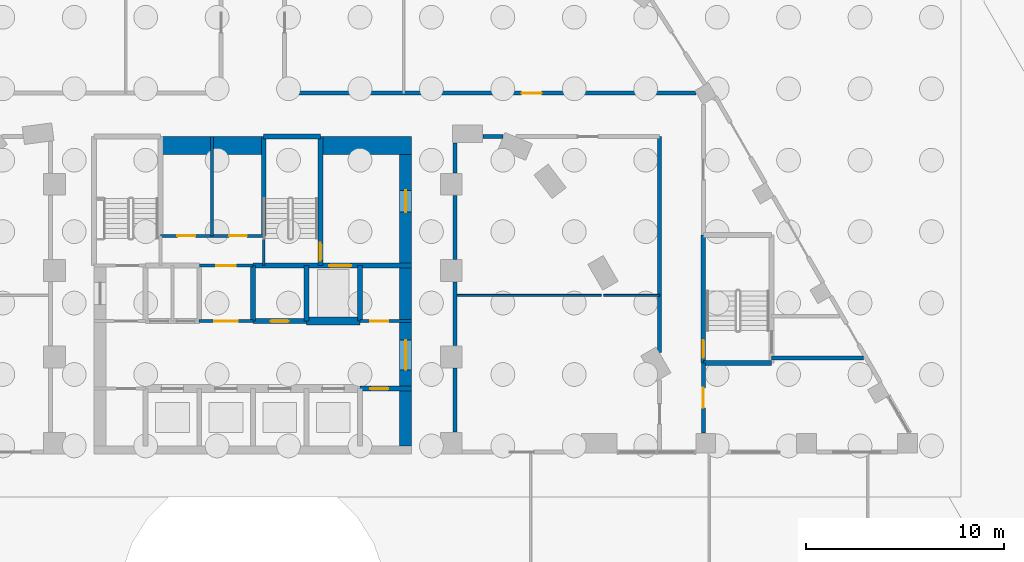
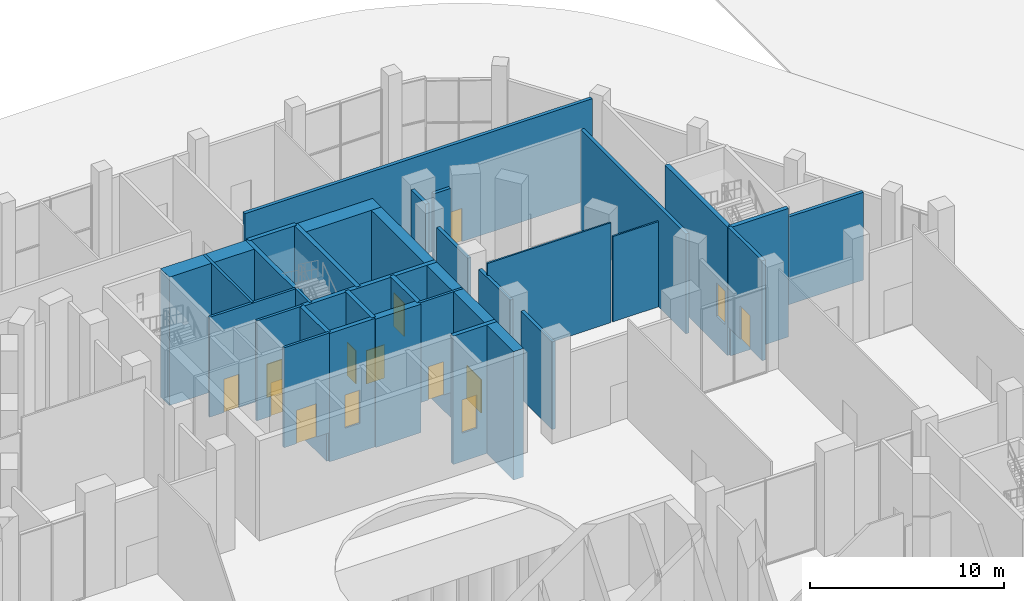
# One storey, part 29 of 44: 32 walls, 14 doors, 14 openings.
"""IFC4 building model written with IfcOpenShell, lengths in metres."""

from ifc_helpers import new_model, si_unit, direction, frame, frame_2d, origin, place, context, subcontext, project, spatial, rectangle, extrude, material, layer, layer_set, type_object, element, fill, save


model = new_model("IFC4")

# Units and contexts
model_context = context("Model", 3, precision=1e-05, world=origin(), true_north=direction((0.0, 1.0)))
body_context = subcontext(model_context, "Body", "Model", "MODEL_VIEW")
ifc_project = project(units=[si_unit("LENGTHUNIT", "METRE"), si_unit("AREAUNIT", "SQUARE_METRE"), si_unit("VOLUMEUNIT", "CUBIC_METRE"), si_unit("PLANEANGLEUNIT", "RADIAN"), si_unit("MASSUNIT", "GRAM", prefix="KILO")], contexts=[model_context])

# Site, building, storey
site_placement = place(None, origin())
site = spatial("IfcSite", under=ifc_project, at=site_placement, CompositionType="ELEMENT")
building_placement = place(site_placement, origin())
building = spatial("IfcBuilding", under=site, at=building_placement, Name="Nakaniwa Court", CompositionType="ELEMENT")
storey_placement = place(building_placement, origin())
storey = spatial("IfcBuildingStorey", under=building, at=storey_placement, Name="L00", CompositionType="ELEMENT", Elevation=0.0)

# Wall, opening, door
ifc_material_1 = material(Name="Acoustic double stud partition")
ifc_layer_1 = layer(ifc_material_1, 0.199951171875)
ifc_layer_set_1 = layer_set([ifc_layer_1], Name="Acoustic double stud partition")
wall_type_1 = type_object("IfcWallType", Name="Acoustic double stud partition 200", PredefinedType="PARTITIONING", material=ifc_layer_set_1)
wall_1_placement = place(storey_placement, frame((102.699951171875, 92.0029296875, 0.0), z_axis=(0.0, 0.0, 1.0), x_axis=(0.0, -1.0, 0.0)))
wall_1 = element("IfcWall", 1, at=wall_1_placement, inside=storey, type_object=wall_type_1, Name="Partition PW-081", PredefinedType="PARTITIONING", context=body_context, shape_type="SweptSolid", body=[
    extrude(rectangle(XDim=3.535888671875, YDim=0.199951171875, at=frame_2d((1.76806640625, 0.0))), origin(), (0.0, 0.0, 1.0), 6.300048828125),
])
opening_1_placement = place(wall_1_placement, frame((1.26806640625, 0.0, 0.0)))
opening_1 = element("IfcOpeningElement", 2, at=opening_1_placement, cuts=wall_1, Name="Opening D-02-03", PredefinedType="OPENING", context=body_context, shape_type="SweptSolid", body=[
    extrude(rectangle(XDim=1.0, YDim=2.10009765625, at=frame_2d((0.5, 1.050048828125))), frame((0.0, 0.10986328125, 0.0), z_axis=(0.0, -1.0, 0.0), x_axis=(1.0, 0.0, 0.0)), (0.0, 0.0, 1.0), 0.219970703125),
])
ifc_material_2 = material(Name="Solid core timber door set, black veneer", Category="wood")
door_type_1 = type_object("IfcDoorType", Name="Internal door 1000", OperationType="NOTDEFINED", PredefinedType="DOOR", material=ifc_material_2)
door_1_placement = place(opening_1_placement, origin())
door_1 = element("IfcDoor", 3, at=door_1_placement, inside=storey, type_object=door_type_1, Name="Door D-02-03 L00-034", OperationType="SINGLE_SWING_LEFT", OverallHeight=2.10009765625, OverallWidth=1.0, PredefinedType="DOOR", context=body_context, shape_type="SweptSolid", body=[
    extrude(rectangle(XDim=1.0, YDim=2.10009765625, at=frame_2d((0.5, 1.050048828125))), frame((0.0, 0.02490234375, 0.0), z_axis=(0.0, -1.0, 0.0), x_axis=(1.0, 0.0, 0.0)), (0.0, 0.0, 1.0), 0.050048828125),
])
fill(opening_1, door_1)

wall_2_placement = place(storey_placement, frame((81.60009765625, 105.60009765625, 0.0), z_axis=(0.0, 0.0, 1.0), x_axis=(1.0, 0.0, 0.0)))
wall_2 = element("IfcWall", 4, at=wall_2_placement, inside=storey, type_object=wall_type_1, Name="Partition PW-084", PredefinedType="PARTITIONING", context=body_context, shape_type="SweptSolid", body=[
    extrude(rectangle(XDim=20.723388671875, YDim=0.199951171875, at=frame_2d((10.36181640625, 0.0))), origin(), (0.0, 0.0, 1.0), 6.300048828125),
])
opening_2_placement = place(wall_2_placement, frame((11.950927734375, 0.0, 0.0)))
opening_2 = element("IfcOpeningElement", 5, at=opening_2_placement, cuts=wall_2, Name="Opening D-02-06", PredefinedType="OPENING", context=body_context, shape_type="SweptSolid", body=[
    extrude(rectangle(XDim=1.0, YDim=2.10009765625, at=frame_2d((0.5, 1.050048828125))), frame((0.0, 0.10986328125, 0.0), z_axis=(0.0, -1.0, 0.0), x_axis=(1.0, 0.0, 0.0)), (0.0, 0.0, 1.0), 0.219970703125),
])
door_2_placement = place(opening_2_placement, origin())
door_2 = element("IfcDoor", 6, at=door_2_placement, inside=storey, type_object=door_type_1, Name="Door D-02-06 L00-037", OperationType="SINGLE_SWING_RIGHT", OverallHeight=2.10009765625, OverallWidth=1.0, PredefinedType="DOOR", context=body_context, shape_type="SweptSolid", body=[
    extrude(rectangle(XDim=1.0, YDim=2.10009765625, at=frame_2d((0.5, 1.050048828125))), frame((0.0, 0.02490234375, 0.0), z_axis=(0.0, -1.0, 0.0), x_axis=(1.0, 0.0, 0.0)), (0.0, 0.0, 1.0), 0.050048828125),
])
fill(opening_2, door_2)

# Walls
wall_3_placement = place(storey_placement, frame((100.5, 92.52978515625, 0.0), z_axis=(0.0, 0.0, 1.0), x_axis=(0.0, 1.0, 0.0)))
element("IfcWall", 7, at=wall_3_placement, inside=storey, type_object=wall_type_1, Name="Partition PW-088", PredefinedType="PARTITIONING", context=body_context, shape_type="SweptSolid", body=[
    extrude(rectangle(XDim=10.873291015625, YDim=0.199951171875, at=frame_2d((5.4365234375, 0.0))), origin(), (0.0, 0.0, 1.0), 6.300048828125),
])
wall_4_placement = place(storey_placement, frame((90.199951171875, 88.51708984375, 0.0), z_axis=(0.0, 0.0, 1.0), x_axis=(0.0, 1.0, 0.0)))
element("IfcWall", 8, at=wall_4_placement, inside=storey, type_object=wall_type_1, Name="Partition PW-107", PredefinedType="PARTITIONING", context=body_context, shape_type="SweptSolid", body=[
    extrude(rectangle(XDim=3.2158203125, YDim=0.199951171875, at=frame_2d((1.60791015625, 0.0))), origin(), (0.0, 0.0, 1.0), 5.530029296875),
])
for number, where, z_axis, x_axis, name in (
    (9, (90.199951171875, 92.866943359375, 0.0), (0.0, 0.0, 1.0), (0.0, 1.0, 0.0), "Partition PW-108"),
    (10, (90.199951171875, 97.217041015625, 0.0), (0.0, 0.0, 1.0), (0.0, 1.0, 0.0), "Partition PW-109"),
):
    element("IfcWall", number, at=place(storey_placement, frame(where, z_axis=z_axis, x_axis=x_axis)), inside=storey, type_object=wall_type_1, Name=name, PredefinedType="PARTITIONING", context=body_context, shape_type="SweptSolid", body=[
        extrude(rectangle(XDim=3.216064453125, YDim=0.199951171875, at=frame_2d((1.60791015625, 0.0))), origin(), (0.0, 0.0, 1.0), 5.530029296875),
    ])
wall_5_placement = place(storey_placement, frame((90.199951171875, 101.56689453125, 0.0), z_axis=(0.0, 0.0, 1.0), x_axis=(0.0, 1.0, 0.0)))
element("IfcWall", 11, at=wall_5_placement, inside=storey, type_object=wall_type_1, Name="Partition PW-110", PredefinedType="PARTITIONING", context=body_context, shape_type="SweptSolid", body=[
    extrude(rectangle(XDim=1.51611328125, YDim=0.199951171875, at=frame_2d((0.758056640625, 0.0))), origin(), (0.0, 0.0, 1.0), 6.300048828125),
])
wall_6_placement = place(storey_placement, frame((91.591796875, 103.39990234375, 0.0), z_axis=(0.0, 0.0, 1.0), x_axis=(1.0, 0.0, 0.0)))
element("IfcWall", 12, at=wall_6_placement, inside=storey, type_object=wall_type_1, Name="Partition PW-113", PredefinedType="PARTITIONING", context=body_context, shape_type="SweptSolid", body=[
    extrude(rectangle(XDim=1.0078125, YDim=0.199951171875, at=frame_2d((0.50390625, 0.0))), origin(), (0.0, 0.0, 1.0), 5.3798828125),
])
wall_7_placement = place(storey_placement, frame((106.14990234375, 92.25, 0.0), z_axis=(0.0, 0.0, 1.0), x_axis=(1.0, 0.0, 0.0)))
element("IfcWall", 13, at=wall_7_placement, inside=storey, type_object=wall_type_1, Name="Partition PW-127", PredefinedType="PARTITIONING", context=body_context, shape_type="SweptSolid", body=[
    extrude(rectangle(XDim=4.62158203125, YDim=0.199951171875, at=frame_2d((2.310791015625, 0.0))), origin(), (0.0, 0.0, 1.0), 5.530029296875),
])

# Wall, opening, door
ifc_material_3 = material(Name="Blockwork partition", Category="masonry")
ifc_layer_2 = layer(ifc_material_3, 0.14990234375)
ifc_layer_set_2 = layer_set([ifc_layer_2], Name="Blockwork partition")
wall_type_2 = type_object("IfcWallType", Name="Blockwork partition 150", PredefinedType="PARTITIONING", material=ifc_layer_set_2)
wall_8_placement = place(storey_placement, frame((77.297119140625, 94.10009765625, 0.0), z_axis=(0.0, 0.0, 1.0), x_axis=(1.0, 0.0, 0.0)))
wall_8 = element("IfcWall", 14, at=wall_8_placement, inside=storey, type_object=wall_type_2, Name="Partition PW-017", PredefinedType="PARTITIONING", context=body_context, shape_type="SweptSolid", body=[
    extrude(rectangle(XDim=2.705810546875, YDim=0.14990234375, at=frame_2d((1.35302734375, 0.0))), origin(), (0.0, 0.0, 1.0), 6.300048828125),
])
opening_3_placement = place(wall_8_placement, frame((0.7529296875, 0.0, 0.0)))
opening_3 = element("IfcOpeningElement", 15, at=opening_3_placement, cuts=wall_8, Name="Opening D-06-01", PredefinedType="OPENING", context=body_context, shape_type="SweptSolid", body=[
    extrude(rectangle(XDim=1.199951171875, YDim=2.10009765625, at=frame_2d((0.60009765625, 1.050048828125))), frame((0.0, 0.0849609375, 0.0), z_axis=(0.0, -1.0, 0.0), x_axis=(1.0, 0.0, 0.0)), (0.0, 0.0, 1.0), 0.169921875),
])
ifc_material_4 = material(Name="Fire rated steel double door set", Category="steel")
door_type_2 = type_object("IfcDoorType", Name="Service passage double door 1200", OperationType="NOTDEFINED", PredefinedType="DOOR", material=ifc_material_4)
door_3_placement = place(opening_3_placement, origin())
door_3 = element("IfcDoor", 16, at=door_3_placement, inside=storey, type_object=door_type_2, Name="Door D-06-01 L00-006", OperationType="DOUBLE_DOOR_SINGLE_SWING", OverallHeight=2.10009765625, OverallWidth=1.199951171875, PredefinedType="DOOR", context=body_context, shape_type="SweptSolid", body=[
    extrude(rectangle(XDim=1.199951171875, YDim=2.10009765625, at=frame_2d((0.60009765625, 1.050048828125))), frame((0.0, 0.02490234375, 0.0), z_axis=(0.0, -1.0, 0.0), x_axis=(1.0, 0.0, 0.0)), (0.0, 0.0, 1.0), 0.050048828125),
])
fill(opening_3, door_3)

wall_9_placement = place(storey_placement, frame((85.39697265625, 94.10009765625, 0.0), z_axis=(0.0, 0.0, 1.0), x_axis=(1.0, 0.0, 0.0)))
wall_9 = element("IfcWall", 17, at=wall_9_placement, inside=storey, type_object=wall_type_2, Name="Partition PW-018", PredefinedType="PARTITIONING", context=body_context, shape_type="SweptSolid", body=[
    extrude(rectangle(XDim=2.60302734375, YDim=0.14990234375, at=frame_2d((1.301513671875, 0.0))), origin(), (0.0, 0.0, 1.0), 6.300048828125),
])
opening_4_placement = place(wall_9_placement, frame((0.528076171875, 0.0, 0.0)))
opening_4 = element("IfcOpeningElement", 18, at=opening_4_placement, cuts=wall_9, Name="Opening D-05-06", PredefinedType="OPENING", context=body_context, shape_type="SweptSolid", body=[
    extrude(rectangle(XDim=0.89990234375, YDim=2.10009765625, at=frame_2d((0.449951171875, 1.050048828125))), frame((0.0, 0.0849609375, 0.0), z_axis=(0.0, -1.0, 0.0), x_axis=(1.0, 0.0, 0.0)), (0.0, 0.0, 1.0), 0.169921875),
])
ifc_material_5 = material(Name="Fire rated steel door set", Category="steel")
door_type_3 = type_object("IfcDoorType", Name="Service room door 900", OperationType="NOTDEFINED", PredefinedType="DOOR", material=ifc_material_5)
door_4_placement = place(opening_4_placement, origin())
door_4 = element("IfcDoor", 19, at=door_4_placement, inside=storey, type_object=door_type_3, Name="Door D-05-06 L00-008", OperationType="SINGLE_SWING_LEFT", OverallHeight=2.10009765625, OverallWidth=0.89990234375, PredefinedType="DOOR", context=body_context, shape_type="SweptSolid", body=[
    extrude(rectangle(XDim=0.89990234375, YDim=2.10009765625, at=frame_2d((0.449951171875, 1.050048828125))), frame((0.0, 0.02490234375, 0.0), z_axis=(0.0, -1.0, 0.0), x_axis=(1.0, 0.0, 0.0)), (0.0, 0.0, 1.0), 0.050048828125),
])
fill(opening_4, door_4)

wall_10_placement = place(storey_placement, frame((77.300048828125, 96.89990234375, 0.0), z_axis=(0.0, 0.0, 1.0), x_axis=(1.0, 0.0, 0.0)))
wall_10 = element("IfcWall", 20, at=wall_10_placement, inside=storey, type_object=wall_type_2, Name="Partition PW-026", PredefinedType="PARTITIONING", context=body_context, shape_type="SweptSolid", body=[
    extrude(rectangle(XDim=2.699951171875, YDim=0.14990234375, at=frame_2d((1.35009765625, 0.0))), origin(), (0.0, 0.0, 1.0), 6.300048828125),
])
opening_5_placement = place(wall_10_placement, frame((0.85009765625, 0.0, 0.0)))
opening_5 = element("IfcOpeningElement", 21, at=opening_5_placement, cuts=wall_10, Name="Opening D-23-01", PredefinedType="OPENING", context=body_context, shape_type="SweptSolid", body=[
    extrude(rectangle(XDim=1.0, YDim=2.10009765625, at=frame_2d((0.5, 1.050048828125))), frame((0.0, 0.0849609375, 0.0), z_axis=(0.0, -1.0, 0.0), x_axis=(1.0, 0.0, 0.0)), (0.0, 0.0, 1.0), 0.169921875),
])
door_type_4 = type_object("IfcDoorType", Name="Service room door 1000", OperationType="NOTDEFINED", PredefinedType="DOOR", material=ifc_material_5)
door_5_placement = place(opening_5_placement, origin())
door_5 = element("IfcDoor", 22, at=door_5_placement, inside=storey, type_object=door_type_4, Name="Door D-23-01 L00-009", OperationType="SINGLE_SWING_RIGHT", OverallHeight=2.10009765625, OverallWidth=1.0, PredefinedType="DOOR", context=body_context, shape_type="SweptSolid", body=[
    extrude(rectangle(XDim=1.0, YDim=2.10009765625, at=frame_2d((0.5, 1.050048828125))), frame((0.0, 0.02490234375, 0.0), z_axis=(0.0, -1.0, 0.0), x_axis=(1.0, 0.0, 0.0)), (0.0, 0.0, 1.0), 0.050048828125),
])
fill(opening_5, door_5)

# Wall, openings, doors
wall_11_placement = place(storey_placement, frame((75.35009765625, 98.39990234375, 0.0), z_axis=(0.0, 0.0, 1.0), x_axis=(1.0, 0.0, 0.0)))
wall_11 = element("IfcWall", 23, at=wall_11_placement, inside=storey, type_object=wall_type_2, Name="Partition PW-037", PredefinedType="PARTITIONING", context=body_context, shape_type="SweptSolid", body=[
    extrude(rectangle(XDim=5.199951171875, YDim=0.14990234375, at=frame_2d((2.60009765625, 0.0))), origin(), (0.0, 0.0, 1.0), 6.300048828125),
])
opening_6_placement = place(wall_11_placement, frame((0.85009765625, 0.0, 0.0)))
opening_6 = element("IfcOpeningElement", 24, at=opening_6_placement, cuts=wall_11, Name="Opening D-05-07", PredefinedType="OPENING", context=body_context, shape_type="SweptSolid", body=[
    extrude(rectangle(XDim=0.89990234375, YDim=2.10009765625, at=frame_2d((0.449951171875, 1.050048828125))), frame((0.0, 0.0849609375, 0.0), z_axis=(0.0, -1.0, 0.0), x_axis=(1.0, 0.0, 0.0)), (0.0, 0.0, 1.0), 0.169921875),
])
opening_7_placement = place(wall_11_placement, frame((3.449951171875, 0.0, 0.0)))
opening_7 = element("IfcOpeningElement", 25, at=opening_7_placement, cuts=wall_11, Name="Opening D-05-08", PredefinedType="OPENING", context=body_context, shape_type="SweptSolid", body=[
    extrude(rectangle(XDim=0.89990234375, YDim=2.10009765625, at=frame_2d((0.449951171875, 1.050048828125))), frame((0.0, 0.0849609375, 0.0), z_axis=(0.0, -1.0, 0.0), x_axis=(1.0, 0.0, 0.0)), (0.0, 0.0, 1.0), 0.169921875),
])
door_6_placement = place(opening_6_placement, origin())
door_6 = element("IfcDoor", 26, at=door_6_placement, inside=storey, type_object=door_type_3, Name="Door D-05-07 L00-010", OperationType="SINGLE_SWING_LEFT", OverallHeight=2.10009765625, OverallWidth=0.89990234375, PredefinedType="DOOR", context=body_context, shape_type="SweptSolid", body=[
    extrude(rectangle(XDim=0.89990234375, YDim=2.10009765625, at=frame_2d((0.449951171875, 1.050048828125))), frame((0.0, 0.02490234375, 0.0), z_axis=(0.0, -1.0, 0.0), x_axis=(1.0, 0.0, 0.0)), (0.0, 0.0, 1.0), 0.050048828125),
])
fill(opening_6, door_6)
door_7_placement = place(opening_7_placement, origin())
door_7 = element("IfcDoor", 27, at=door_7_placement, inside=storey, type_object=door_type_3, Name="Door D-05-08 L00-011", OperationType="SINGLE_SWING_RIGHT", OverallHeight=2.10009765625, OverallWidth=0.89990234375, PredefinedType="DOOR", context=body_context, shape_type="SweptSolid", body=[
    extrude(rectangle(XDim=0.89990234375, YDim=2.10009765625, at=frame_2d((0.449951171875, 1.050048828125))), frame((0.0, 0.02490234375, 0.0), z_axis=(0.0, -1.0, 0.0), x_axis=(1.0, 0.0, 0.0)), (0.0, 0.0, 1.0), 0.050048828125),
])
fill(opening_7, door_7)

# Wall
wall_12_placement = place(storey_placement, frame((77.949951171875, 98.39990234375, 0.0), z_axis=(0.0, 0.0, 1.0), x_axis=(0.0, 1.0, 0.0)))
element("IfcWall", 28, at=wall_12_placement, inside=storey, type_object=wall_type_2, Name="Partition PW-038", PredefinedType="PARTITIONING", context=body_context, shape_type="SweptSolid", body=[
    extrude(rectangle(XDim=5.0, YDim=0.14990234375, at=frame_2d((2.5, 0.0))), origin(), (0.0, 0.0, 1.0), 6.300048828125),
])

# Wall, openings, doors
ifc_material_6 = material(Name="Concrete C100/115", Category="concrete")
ifc_layer_3 = layer(ifc_material_6, 0.60009765625)
ifc_layer_set_3 = layer_set([ifc_layer_3], Name="Concrete C100/115")
wall_type_3 = type_object("IfcWallType", Name="Concrete core side wall 600 C100", PredefinedType="SHEAR", material=ifc_layer_set_3)
wall_13_placement = place(storey_placement, frame((87.699951171875, 87.800048828125, -1.800048828125), z_axis=(0.0, 0.0, 1.0), x_axis=(0.0, 1.0, 0.0)))
wall_13 = element("IfcWall", 29, at=wall_13_placement, inside=storey, type_object=wall_type_3, Name="Core wall SW-15", PredefinedType="SHEAR", context=body_context, shape_type="SweptSolid", body=[
    extrude(rectangle(XDim=15.599853515625, YDim=0.60009765625, at=frame_2d((7.7998046875, 0.0))), origin(), (0.0, 0.0, 1.0), 8.10009765625),
])
opening_8_placement = place(wall_13_placement, frame((3.85009765625, 0.0, 1.800048828125)))
opening_8 = element("IfcOpeningElement", 30, at=opening_8_placement, cuts=wall_13, Name="Opening D-07-01", PredefinedType="OPENING", context=body_context, shape_type="SweptSolid", body=[
    extrude(rectangle(XDim=1.5, YDim=2.10009765625, at=frame_2d((0.75, 1.050048828125))), frame((0.0, 0.31005859375, 0.0), z_axis=(0.0, -1.0, 0.0), x_axis=(1.0, 0.0, 0.0)), (0.0, 0.0, 1.0), 0.6201171875),
])
opening_9_placement = place(wall_13_placement, frame((11.799072265625, 0.0, 1.800048828125)))
opening_9 = element("IfcOpeningElement", 31, at=opening_9_placement, cuts=wall_13, Name="Opening D-10-01", PredefinedType="OPENING", context=body_context, shape_type="SweptSolid", body=[
    extrude(rectangle(XDim=1.10009765625, YDim=2.10009765625, at=frame_2d((0.550048828125, 1.050048828125))), frame((0.0, 0.31005859375, 0.0), z_axis=(0.0, -1.0, 0.0), x_axis=(1.0, 0.0, 0.0)), (0.0, 0.0, 1.0), 0.6201171875),
])
door_type_5 = type_object("IfcDoorType", Name="Firefighting lobby door 1100", OperationType="NOTDEFINED", PredefinedType="DOOR", material=ifc_material_5)
door_8_placement = place(opening_9_placement, origin())
door_8 = element("IfcDoor", 32, at=door_8_placement, inside=storey, type_object=door_type_5, Name="Door D-10-01 L00-069", OperationType="SINGLE_SWING_RIGHT", OverallHeight=2.10009765625, OverallWidth=1.10009765625, PredefinedType="DOOR", context=body_context, shape_type="SweptSolid", body=[
    extrude(rectangle(XDim=1.10009765625, YDim=2.10009765625, at=frame_2d((0.550048828125, 1.050048828125))), frame((0.0, 0.02490234375, 0.0), z_axis=(0.0, -1.0, 0.0), x_axis=(1.0, 0.0, 0.0)), (0.0, 0.0, 1.0), 0.050048828125),
])
fill(opening_9, door_8)
ifc_material_7 = material(Name="Glazed fire rated steel double door set", Category="steel")
door_type_6 = type_object("IfcDoorType", Name="Lobby double door 1500", OperationType="NOTDEFINED", PredefinedType="DOOR", material=ifc_material_7)
door_9_placement = place(opening_8_placement, origin())
door_9 = element("IfcDoor", 33, at=door_9_placement, inside=storey, type_object=door_type_6, Name="Door D-07-01 L00-068", OperationType="DOUBLE_DOOR_SINGLE_SWING", OverallHeight=2.10009765625, OverallWidth=1.5, PredefinedType="DOOR", context=body_context, shape_type="SweptSolid", body=[
    extrude(rectangle(XDim=1.5, YDim=2.10009765625, at=frame_2d((0.75, 1.050048828125))), frame((0.0, 0.02490234375, 0.0), z_axis=(0.0, -1.0, 0.0), x_axis=(1.0, 0.0, 0.0)), (0.0, 0.0, 1.0), 0.050048828125),
])
fill(opening_8, door_9)

# Walls
ifc_layer_4 = layer(ifc_material_6, 0.39990234375)
ifc_layer_set_4 = layer_set([ifc_layer_4], Name="Concrete C100/115")
wall_type_4 = type_object("IfcWallType", Name="Concrete core spine wall 400 C100", PredefinedType="SHEAR", material=ifc_layer_set_4)
wall_14_placement = place(storey_placement, frame((82.697021484375, 94.10009765625, -1.800048828125), z_axis=(0.0, 0.0, 1.0), x_axis=(1.0, 0.0, 0.0)))
element("IfcWall", 34, at=wall_14_placement, inside=storey, type_object=wall_type_4, Name="Core wall SW-21", PredefinedType="SHEAR", context=body_context, shape_type="SweptSolid", body=[
    extrude(rectangle(XDim=2.7060546875, YDim=0.39990234375, at=frame_2d((1.35302734375, 0.0))), origin(), (0.0, 0.0, 1.0), 8.10009765625),
])
ifc_layer_5 = layer(ifc_material_6, 0.14990234375)
ifc_layer_set_5 = layer_set([ifc_layer_5], Name="Concrete C100/115")
wall_type_5 = type_object("IfcWallType", Name="Concrete core wall 150 C100", PredefinedType="SHEAR", material=ifc_layer_set_5)
wall_15_placement = place(storey_placement, frame((80.550048828125, 96.89990234375, -1.800048828125), z_axis=(0.0, 0.0, 1.0), x_axis=(0.0, 1.0, 0.0)))
element("IfcWall", 35, at=wall_15_placement, inside=storey, type_object=wall_type_5, Name="Core wall SW-33", PredefinedType="SHEAR", context=body_context, shape_type="SweptSolid", body=[
    extrude(rectangle(XDim=1.503173828125, YDim=0.14990234375, at=frame_2d((0.75146484375, 0.0))), origin(), (0.0, 0.0, 1.0), 8.10009765625),
])
ifc_layer_6 = layer(ifc_material_6, 0.25)
ifc_layer_set_6 = layer_set([ifc_layer_6], Name="Concrete C100/115")
wall_type_6 = type_object("IfcWallType", Name="Concrete core wall 250 C100", PredefinedType="SHEAR", material=ifc_layer_set_6)
wall_16_placement = place(storey_placement, frame((80.550048828125, 103.39990234375, -1.800048828125), z_axis=(0.0, 0.0, 1.0), x_axis=(1.0, 0.0, 0.0)))
element("IfcWall", 36, at=wall_16_placement, inside=storey, type_object=wall_type_6, Name="Core wall SW-30", PredefinedType="SHEAR", context=body_context, shape_type="SweptSolid", body=[
    extrude(rectangle(XDim=2.849853515625, YDim=0.25, at=frame_2d((1.4248046875, 0.0))), origin(), (0.0, 0.0, 1.0), 8.10009765625),
])

# Wall, opening, door
wall_17_placement = place(storey_placement, frame((102.699951171875, 91.9970703125, -1.800048828125), z_axis=(0.0, 0.0, 1.0), x_axis=(0.0, 1.0, 0.0)))
wall_17 = element("IfcWall", 37, at=wall_17_placement, inside=storey, type_object=wall_type_6, Name="Core wall SW-78", PredefinedType="SHEAR", context=body_context, shape_type="SweptSolid", body=[
    extrude(rectangle(XDim=6.455810546875, YDim=0.25, at=frame_2d((3.22802734375, 0.0))), origin(), (0.0, 0.0, 1.0), 8.10009765625),
])
opening_10_placement = place(wall_17_placement, frame((0.25, 0.0, 1.800048828125)))
opening_10 = element("IfcOpeningElement", 38, at=opening_10_placement, cuts=wall_17, Name="Opening D-11-03", PredefinedType="OPENING", context=body_context, shape_type="SweptSolid", body=[
    extrude(rectangle(XDim=0.89990234375, YDim=2.10009765625, at=frame_2d((0.449951171875, 1.050048828125))), frame((0.0, 0.135009765625, 0.0), z_axis=(0.0, -1.0, 0.0), x_axis=(1.0, 0.0, 0.0)), (0.0, 0.0, 1.0), 0.27001953125),
])
door_type_7 = type_object("IfcDoorType", Name="Stair door 900", OperationType="NOTDEFINED", PredefinedType="DOOR", material=ifc_material_5)
door_10_placement = place(opening_10_placement, origin())
door_10 = element("IfcDoor", 39, at=door_10_placement, inside=storey, type_object=door_type_7, Name="Door D-11-03 L00-029", OperationType="SINGLE_SWING_LEFT", OverallHeight=2.10009765625, OverallWidth=0.89990234375, PredefinedType="DOOR", context=body_context, shape_type="SweptSolid", body=[
    extrude(rectangle(XDim=0.89990234375, YDim=2.10009765625, at=frame_2d((0.449951171875, 1.050048828125))), frame((0.0, 0.02490234375, 0.0), z_axis=(0.0, -1.0, 0.0), x_axis=(1.0, 0.0, 0.0)), (0.0, 0.0, 1.0), 0.050048828125),
])
fill(opening_10, door_10)

# Walls
wall_18_placement = place(storey_placement, frame((102.699951171875, 92.0, -1.800048828125), z_axis=(0.0, 0.0, 1.0), x_axis=(1.0, 0.0, 0.0)))
element("IfcWall", 40, at=wall_18_placement, inside=storey, type_object=wall_type_6, Name="Core wall SW-133", PredefinedType="SHEAR", context=body_context, shape_type="SweptSolid", body=[
    extrude(rectangle(XDim=3.449951171875, YDim=0.25, at=frame_2d((1.72509765625, 0.0))), origin(), (0.0, 0.0, 1.0), 8.10009765625),
])
ifc_layer_7 = layer(ifc_material_6, 0.89990234375)
ifc_layer_set_7 = layer_set([ifc_layer_7], Name="Concrete C100/115")
wall_type_7 = type_object("IfcWallType", Name="Concrete core wall 900 C100", PredefinedType="SHEAR", material=ifc_layer_set_7)
wall_19_placement = place(storey_placement, frame((75.35009765625, 102.949951171875, -1.800048828125), z_axis=(0.0, 0.0, 1.0), x_axis=(1.0, 0.0, 0.0)))
element("IfcWall", 41, at=wall_19_placement, inside=storey, type_object=wall_type_7, Name="Core wall SW-35", PredefinedType="SHEAR", context=body_context, shape_type="SweptSolid", body=[
    extrude(rectangle(XDim=5.199951171875, YDim=0.89990234375, at=frame_2d((2.60009765625, 0.0))), origin(), (0.0, 0.0, 1.0), 8.10009765625),
])
wall_20_placement = place(storey_placement, frame((83.39990234375, 102.949951171875, -1.800048828125), z_axis=(0.0, 0.0, 1.0), x_axis=(1.0, 0.0, 0.0)))
element("IfcWall", 42, at=wall_20_placement, inside=storey, type_object=wall_type_7, Name="Core wall SW-36", PredefinedType="SHEAR", context=body_context, shape_type="SweptSolid", body=[
    extrude(rectangle(XDim=4.60009765625, YDim=0.89990234375, at=frame_2d((2.300048828125, 0.0))), origin(), (0.0, 0.0, 1.0), 8.10009765625),
])
ifc_layer_8 = layer(ifc_material_6, 0.25)
ifc_layer_set_8 = layer_set([ifc_layer_8], Name="Concrete C100/115")
wall_type_8 = type_object("IfcWallType", Name="Concrete shaft wall 250 C100", PredefinedType="SHEAR", material=ifc_layer_set_8)
for number, where, z_axis, x_axis, name in (
    (43, (80.0, 94.10009765625, -1.800048828125), (0.0, 0.0, 1.0), (0.0, 1.0, 0.0), "Core wall SW-09"),
    (44, (82.699951171875, 94.10009765625, -1.800048828125), (0.0, 0.0, 1.0), (0.0, 1.0, 0.0), "Core wall SW-11"),
    (45, (85.39990234375, 94.10009765625, -1.800048828125), (0.0, 0.0, 1.0), (0.0, 1.0, 0.0), "Core wall SW-13"),
):
    element("IfcWall", number, at=place(storey_placement, frame(where, z_axis=z_axis, x_axis=x_axis)), inside=storey, type_object=wall_type_8, Name=name, PredefinedType="SHEAR", context=body_context, shape_type="SweptSolid", body=[
        extrude(rectangle(XDim=2.7998046875, YDim=0.25, at=frame_2d((1.39990234375, 0.0))), origin(), (0.0, 0.0, 1.0), 8.10009765625),
    ])

# Wall, opening, door
wall_21_placement = place(storey_placement, frame((88.0, 90.699951171875, -1.800048828125), z_axis=(0.0, 0.0, 1.0), x_axis=(-1.0, 0.0, 0.0)))
wall_21 = element("IfcWall", 46, at=wall_21_placement, inside=storey, type_object=wall_type_8, Name="Core wall SW-14", PredefinedType="SHEAR", context=body_context, shape_type="SweptSolid", body=[
    extrude(rectangle(XDim=2.60009765625, YDim=0.25, at=frame_2d((1.300048828125, 0.0))), origin(), (0.0, 0.0, 1.0), 8.10009765625),
])
opening_11_placement = place(wall_21_placement, frame((1.175048828125, 0.0, 1.800048828125)))
opening_11 = element("IfcOpeningElement", 47, at=opening_11_placement, cuts=wall_21, Name="Opening D-05-02", PredefinedType="OPENING", context=body_context, shape_type="SweptSolid", body=[
    extrude(rectangle(XDim=0.89990234375, YDim=2.10009765625, at=frame_2d((0.449951171875, 1.050048828125))), frame((0.0, 0.135009765625, 0.0), z_axis=(0.0, -1.0, 0.0), x_axis=(1.0, 0.0, 0.0)), (0.0, 0.0, 1.0), 0.27001953125),
])
door_11_placement = place(opening_11_placement, origin())
door_11 = element("IfcDoor", 48, at=door_11_placement, inside=storey, type_object=door_type_3, Name="Door D-05-02 L00-002", OperationType="SINGLE_SWING_LEFT", OverallHeight=2.10009765625, OverallWidth=0.89990234375, PredefinedType="DOOR", context=body_context, shape_type="SweptSolid", body=[
    extrude(rectangle(XDim=0.89990234375, YDim=2.10009765625, at=frame_2d((0.449951171875, 1.050048828125))), frame((0.0, 0.02490234375, 0.0), z_axis=(0.0, -1.0, 0.0), x_axis=(1.0, 0.0, 0.0)), (0.0, 0.0, 1.0), 0.050048828125),
])
fill(opening_11, door_11)

wall_22_placement = place(storey_placement, frame((79.9970703125, 94.10009765625, -1.800048828125), z_axis=(0.0, 0.0, 1.0), x_axis=(1.0, 0.0, 0.0)))
wall_22 = element("IfcWall", 49, at=wall_22_placement, inside=storey, type_object=wall_type_8, Name="Core wall SW-20", PredefinedType="SHEAR", context=body_context, shape_type="SweptSolid", body=[
    extrude(rectangle(XDim=2.705810546875, YDim=0.25, at=frame_2d((1.35302734375, 0.0))), origin(), (0.0, 0.0, 1.0), 8.10009765625),
])
opening_12_placement = place(wall_22_placement, frame((0.903076171875, 0.0, 1.800048828125)))
opening_12 = element("IfcOpeningElement", 50, at=opening_12_placement, cuts=wall_22, Name="Opening D-05-05", PredefinedType="OPENING", context=body_context, shape_type="SweptSolid", body=[
    extrude(rectangle(XDim=0.89990234375, YDim=2.10009765625, at=frame_2d((0.449951171875, 1.050048828125))), frame((0.0, 0.135009765625, 0.0), z_axis=(0.0, -1.0, 0.0), x_axis=(1.0, 0.0, 0.0)), (0.0, 0.0, 1.0), 0.27001953125),
])
door_12_placement = place(opening_12_placement, origin())
door_12 = element("IfcDoor", 51, at=door_12_placement, inside=storey, type_object=door_type_3, Name="Door D-05-05 L00-007", OperationType="SINGLE_SWING_RIGHT", OverallHeight=2.10009765625, OverallWidth=0.89990234375, PredefinedType="DOOR", context=body_context, shape_type="SweptSolid", body=[
    extrude(rectangle(XDim=0.89990234375, YDim=2.10009765625, at=frame_2d((0.449951171875, 1.050048828125))), frame((0.0, 0.02490234375, 0.0), z_axis=(0.0, -1.0, 0.0), x_axis=(1.0, 0.0, 0.0)), (0.0, 0.0, 1.0), 0.050048828125),
])
fill(opening_12, door_12)

wall_23_placement = place(storey_placement, frame((80.0, 96.89990234375, -1.800048828125), z_axis=(0.0, 0.0, 1.0), x_axis=(1.0, 0.0, 0.0)))
wall_23 = element("IfcWall", 52, at=wall_23_placement, inside=storey, type_object=wall_type_8, Name="Core wall SW-25", PredefinedType="SHEAR", context=body_context, shape_type="SweptSolid", body=[
    extrude(rectangle(XDim=8.0, YDim=0.25, at=frame_2d((4.0, 0.0))), origin(), (0.0, 0.0, 1.0), 8.10009765625),
])
opening_13_placement = place(wall_23_placement, frame((3.84912109375, 0.0, 1.800048828125)))
opening_13 = element("IfcOpeningElement", 53, at=opening_13_placement, cuts=wall_23, Name="Opening LD05", PredefinedType="OPENING", context=body_context, shape_type="SweptSolid", body=[
    extrude(rectangle(XDim=1.10009765625, YDim=2.10009765625, at=frame_2d((0.550048828125, 1.050048828125))), frame((0.0, 0.135009765625, 0.0), z_axis=(0.0, -1.0, 0.0), x_axis=(1.0, 0.0, 0.0)), (0.0, 0.0, 1.0), 0.27001953125),
])
ifc_material_8 = material(Name="Stainless steel sliding lift landing door", Category="steel")
door_type_8 = type_object("IfcDoorType", Name="Lift landing door 1100", OperationType="NOTDEFINED", PredefinedType="DOOR", material=ifc_material_8)
door_13_placement = place(opening_13_placement, origin())
door_13 = element("IfcDoor", 54, at=door_13_placement, inside=storey, type_object=door_type_8, Name="Lift landing door LD05 L00-005", OperationType="SLIDING_TO_LEFT", OverallHeight=2.10009765625, OverallWidth=1.10009765625, PredefinedType="DOOR", context=body_context, shape_type="SweptSolid", body=[
    extrude(rectangle(XDim=1.10009765625, YDim=2.10009765625, at=frame_2d((0.550048828125, 1.050048828125))), frame((0.0, 0.02490234375, 0.0), z_axis=(0.0, -1.0, 0.0), x_axis=(1.0, 0.0, 0.0)), (0.0, 0.0, 1.0), 0.050048828125),
])
fill(opening_13, door_13)

wall_24_placement = place(storey_placement, frame((83.39990234375, 103.39990234375, -1.800048828125), z_axis=(0.0, 0.0, 1.0), x_axis=(0.0, -1.0, 0.0)))
wall_24 = element("IfcWall", 55, at=wall_24_placement, inside=storey, type_object=wall_type_8, Name="Core wall SW-32", PredefinedType="SHEAR", context=body_context, shape_type="SweptSolid", body=[
    extrude(rectangle(XDim=6.5, YDim=0.25, at=frame_2d((3.25, 0.0))), origin(), (0.0, 0.0, 1.0), 8.10009765625),
])
opening_14_placement = place(wall_24_placement, frame((5.35009765625, 0.0, 1.800048828125)))
opening_14 = element("IfcOpeningElement", 56, at=opening_14_placement, cuts=wall_24, Name="Opening D-11-01", PredefinedType="OPENING", context=body_context, shape_type="SweptSolid", body=[
    extrude(rectangle(XDim=0.89990234375, YDim=2.10009765625, at=frame_2d((0.449951171875, 1.050048828125))), frame((0.0, 0.135009765625, 0.0), z_axis=(0.0, -1.0, 0.0), x_axis=(1.0, 0.0, 0.0)), (0.0, 0.0, 1.0), 0.27001953125),
])
door_14_placement = place(opening_14_placement, origin())
door_14 = element("IfcDoor", 57, at=door_14_placement, inside=storey, type_object=door_type_7, Name="Door D-11-01 L00-013", OperationType="SINGLE_SWING_LEFT", OverallHeight=2.10009765625, OverallWidth=0.89990234375, PredefinedType="DOOR", context=body_context, shape_type="SweptSolid", body=[
    extrude(rectangle(XDim=0.89990234375, YDim=2.10009765625, at=frame_2d((0.449951171875, 1.050048828125))), frame((0.0, 0.02490234375, 0.0), z_axis=(0.0, -1.0, 0.0), x_axis=(1.0, 0.0, 0.0)), (0.0, 0.0, 1.0), 0.050048828125),
])
fill(opening_14, door_14)

# Walls
wall_25_placement = place(storey_placement, frame((80.550048828125, 98.39697265625, -1.800048828125), z_axis=(0.0, 0.0, 1.0), x_axis=(0.0, 1.0, 0.0)))
element("IfcWall", 58, at=wall_25_placement, inside=storey, type_object=wall_type_8, Name="Core wall SW-34", PredefinedType="SHEAR", context=body_context, shape_type="SweptSolid", body=[
    extrude(rectangle(XDim=5.0029296875, YDim=0.25, at=frame_2d((2.50146484375, 0.0))), origin(), (0.0, 0.0, 1.0), 8.10009765625),
])
ifc_material_9 = material(Name="Single stud plasterboard partition")
ifc_layer_9 = layer(ifc_material_9, 0.10009765625)
ifc_layer_set_9 = layer_set([ifc_layer_9], Name="Single stud plasterboard partition")
wall_type_9 = type_object("IfcWallType", Name="Single stud plasterboard partition 100", PredefinedType="PARTITIONING", material=ifc_layer_set_9)
wall_26_placement = place(storey_placement, frame((90.199951171875, 95.39990234375, 0.0), z_axis=(0.0, 0.0, 1.0), x_axis=(1.0, 0.0, 0.0)))
element("IfcWall", 59, at=wall_26_placement, inside=storey, type_object=wall_type_9, Name="Partition PW-140", PredefinedType="PARTITIONING", context=body_context, shape_type="SweptSolid", body=[
    extrude(rectangle(XDim=7.366455078125, YDim=0.10009765625, at=frame_2d((3.68310546875, 0.0))), origin(), (0.0, 0.0, 1.0), 6.300048828125),
])
wall_27_placement = place(storey_placement, frame((97.680419921875, 95.39990234375, 0.0), z_axis=(0.0, 0.0, 1.0), x_axis=(1.0, 0.0, 0.0)))
element("IfcWall", 60, at=wall_27_placement, inside=storey, type_object=wall_type_9, Name="Partition PW-141", PredefinedType="PARTITIONING", context=body_context, shape_type="SweptSolid", body=[
    extrude(rectangle(XDim=2.819580078125, YDim=0.10009765625, at=frame_2d((1.40966796875, 0.0))), origin(), (0.0, 0.0, 1.0), 5.3798828125),
])

save(model, "model.ifc")
